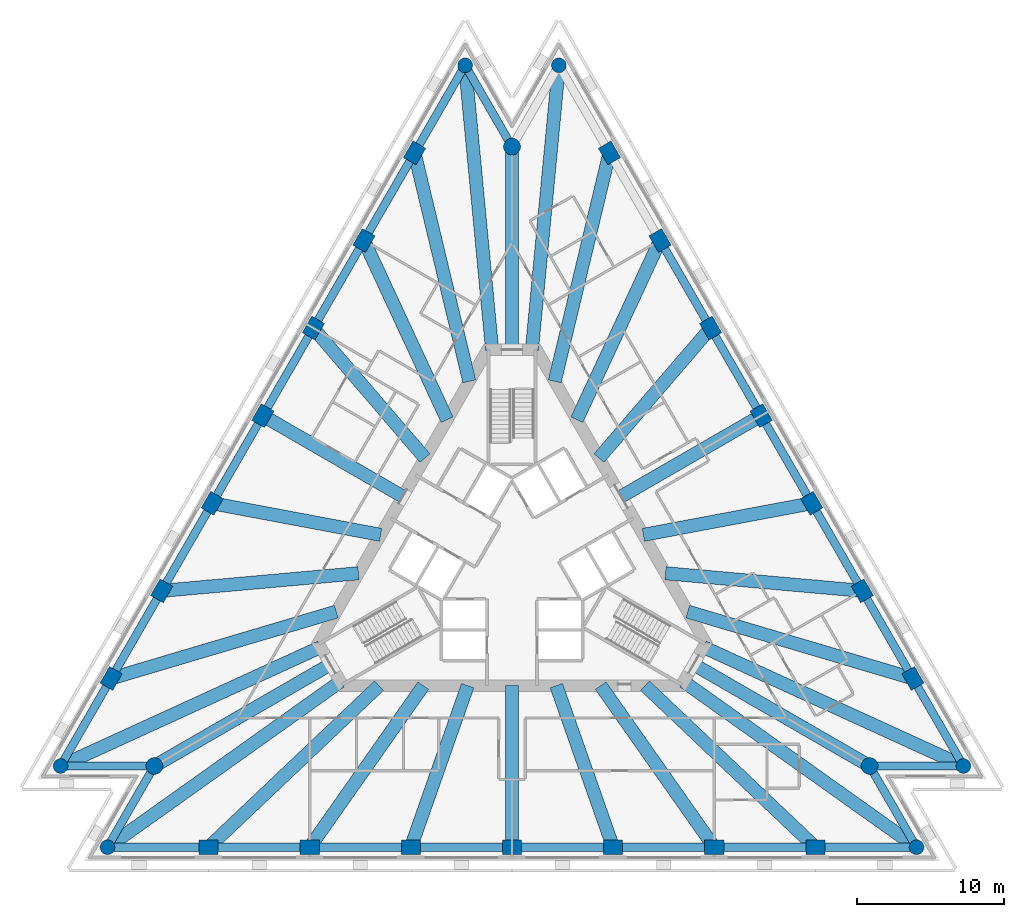
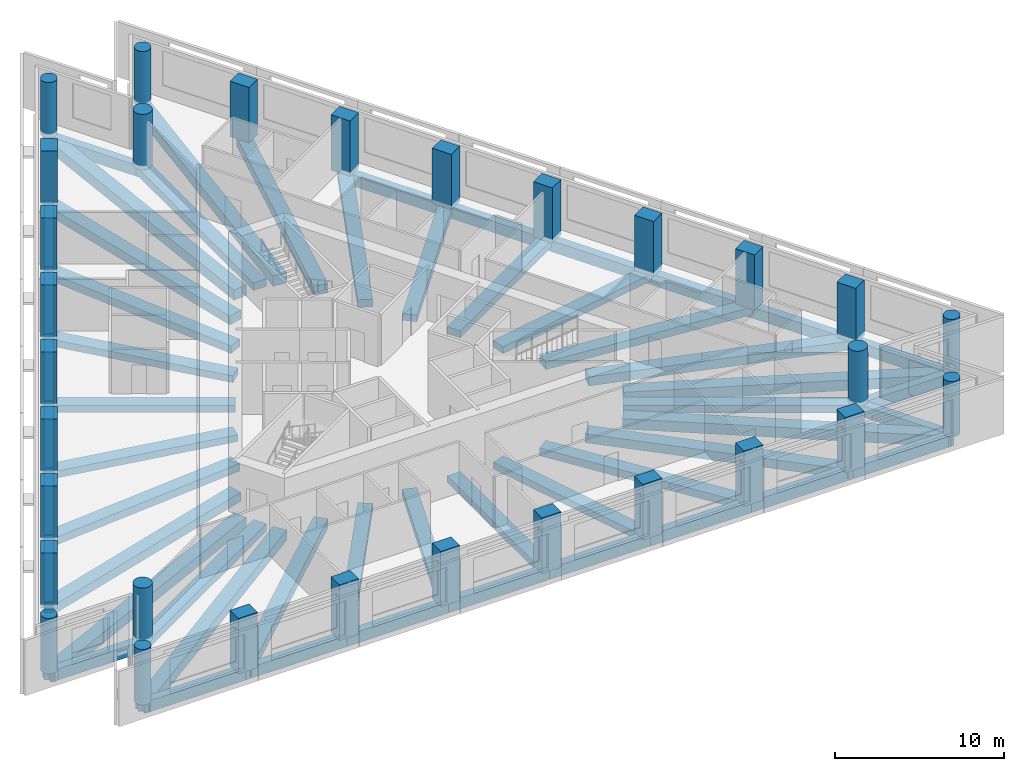
# One storey, part 1 of 10: 57 beams, 30 columns.
"""IFC4 building model written with IfcOpenShell, lengths in metres."""

from ifc_helpers import new_model, si_unit, direction, frame, origin, origin_2d, place, context, subcontext, project, spatial, rectangle, circle, extrude, material, material_profile, profile_set, type_object, element, save


model = new_model("IFC4")

# Units and contexts
model_context = context("Model", 3, precision=1e-05, world=origin(), true_north=direction((0.0, 1.0)))
body_context = subcontext(model_context, "Body", "Model", "MODEL_VIEW")
ifc_project = project(units=[si_unit("LENGTHUNIT", "METRE"), si_unit("AREAUNIT", "SQUARE_METRE"), si_unit("VOLUMEUNIT", "CUBIC_METRE"), si_unit("PLANEANGLEUNIT", "RADIAN"), si_unit("MASSUNIT", "GRAM", prefix="KILO")], contexts=[model_context])

# Site, building, storey
site_placement = place(None, origin())
site = spatial("IfcSite", under=ifc_project, at=site_placement, CompositionType="ELEMENT")
building_placement = place(site_placement, origin())
building = spatial("IfcBuilding", under=site, at=building_placement, Name="Triada Interchange Tower", CompositionType="ELEMENT")
storey_placement = place(building_placement, frame((0.0, 0.0, 124.300048828125)))
storey = spatial("IfcBuildingStorey", under=building, at=storey_placement, Name="L28", CompositionType="ELEMENT", Elevation=124.300048828125)

# Columns
ifc_material_1 = material(Name="Concrete C60/75", Category="concrete")
ifc_material_profile_1 = material_profile(ifc_material_1, rectangle(XDim=1.300048828125, YDim=1.0, at=origin_2d()), Name="RC 1300x1000")
ifc_profile_set_1 = profile_set([ifc_material_profile_1], Name="Concrete C60/75")
column_type_1 = type_object("IfcColumnType", Name="Column B face RC 1300x1000", PredefinedType="COLUMN", material=ifc_profile_set_1)
for number, where, z_axis, x_axis, name in (
    (1, (-6.64794921875, 27.73291015625, -0.300048828125), (0.0, 0.0, 1.0), (0.5, 0.866025403784, 0.0), "Column CB02 L28"),
    (2, (-10.096923828125, 21.760009765625, -0.300048828125), (0.0, 0.0, 1.0), (0.5, 0.866025403784, 0.0), "Column CB03 L28"),
    (3, (-13.5458984375, 15.785888671875, -0.300048828125), (0.0, 0.0, 1.0), (0.5, 0.866025403784, 0.0), "Column CB04 L28"),
    (4, (-16.9951171875, 9.81201171875, -0.300048828125), (0.0, 0.0, 1.0), (0.5, 0.866025403784, 0.0), "Column CB05 L28"),
    (5, (-20.443115234375, 3.837890625, -0.300048828125), (0.0, 0.0, 1.0), (0.5, 0.866025403784, 0.0), "Column CB06 L28"),
    (6, (-23.89208984375, -2.135986328125, -0.300048828125), (0.0, 0.0, 1.0), (0.5, 0.866025403784, 0.0), "Column CB07 L28"),
    (7, (-27.341064453125, -8.10888671875, -0.300048828125), (0.0, 0.0, 1.0), (0.5, 0.866025403784, 0.0), "Column CB08 L28"),
    (8, (-20.693115234375, -19.6240234375, -0.300048828125), (0.0, 0.0, 1.0), (1.0, 0.0, 0.0), "Column CB11 L28"),
    (9, (-13.7958984375, -19.6240234375, -0.300048828125), (0.0, 0.0, 1.0), (1.0, 0.0, 0.0), "Column CB12 L28"),
    (10, (-6.89794921875, -19.6240234375, -0.300048828125), (0.0, 0.0, 1.0), (1.0, 0.0, 0.0), "Column CB13 L28"),
    (11, (0.0, -19.6240234375, -0.300048828125), (0.0, 0.0, 1.0), (1.0, 0.0, 0.0), "Column CB14 L28"),
    (12, (6.89794921875, -19.6240234375, -0.300048828125), (0.0, 0.0, 1.0), (1.0, 0.0, 0.0), "Column CB15 L28"),
    (13, (13.794921875, -19.6240234375, -0.300048828125), (0.0, 0.0, 1.0), (1.0, 0.0, 0.0), "Column CB16 L28"),
    (14, (20.693115234375, -19.6240234375, -0.300048828125), (0.0, 0.0, 1.0), (1.0, 0.0, 0.0), "Column CB17 L28"),
    (15, (27.341064453125, -8.10888671875, -0.300048828125), (0.0, 0.0, 1.0), (-0.5, 0.866025403784, 0.0), "Column CB20 L28"),
    (16, (23.89208984375, -2.135986328125, -0.300048828125), (0.0, 0.0, 1.0), (-0.5, 0.866025403784, 0.0), "Column CB21 L28"),
    (17, (20.443115234375, 3.837890625, -0.300048828125), (0.0, 0.0, 1.0), (-0.5, 0.866025403784, 0.0), "Column CB22 L28"),
    (18, (16.993896484375, 9.81201171875, -0.300048828125), (0.0, 0.0, 1.0), (-0.5, 0.866025403784, 0.0), "Column CB23 L28"),
    (19, (13.5458984375, 15.785888671875, -0.300048828125), (0.0, 0.0, 1.0), (-0.5, 0.866025403784, 0.0), "Column CB24 L28"),
    (20, (10.096923828125, 21.760009765625, -0.300048828125), (0.0, 0.0, 1.0), (-0.5, 0.866025403784, 0.0), "Column CB25 L28"),
    (21, (6.64794921875, 27.73291015625, -0.300048828125), (0.0, 0.0, 1.0), (-0.5, 0.866025403784, 0.0), "Column CB26 L28"),
):
    element("IfcColumn", number, at=place(storey_placement, frame(where, z_axis=z_axis, x_axis=x_axis)), inside=storey, type_object=column_type_1, Name=name, PredefinedType="COLUMN", context=body_context, shape_type="SweptSolid", body=[
        extrude(rectangle(XDim=1.300048828125, YDim=1.0, at=origin_2d()), origin(), (0.0, 0.0, 1.0), 4.0),
    ])
ifc_material_profile_2 = material_profile(ifc_material_1, circle(Radius=0.5, at=origin_2d()), Name="RC D1000")
ifc_profile_set_2 = profile_set([ifc_material_profile_2], Name="Concrete C60/75")
column_type_2 = type_object("IfcColumnType", Name="End column B RC D1000", PredefinedType="COLUMN", material=ifc_profile_set_2)
for number, where, z_axis, x_axis, name in (
    (22, (-3.198974609375, 33.70703125, -0.300048828125), (0.0, 0.0, 1.0), (0.5, 0.866025403784, 0.0), "Column CB01 L28"),
    (23, (-30.7900390625, -14.0830078125, -0.300048828125), (0.0, 0.0, 1.0), (0.5, 0.866025403784, 0.0), "Column CB09 L28"),
    (24, (-27.591064453125, -19.6240234375, -0.300048828125), (0.0, 0.0, 1.0), (1.0, 0.0, 0.0), "Column CB10 L28"),
    (25, (27.591064453125, -19.6240234375, -0.300048828125), (0.0, 0.0, 1.0), (1.0, 0.0, 0.0), "Column CB18 L28"),
    (26, (30.7900390625, -14.0830078125, -0.300048828125), (0.0, 0.0, 1.0), (-0.5, 0.866025403784, 0.0), "Column CB19 L28"),
    (27, (3.198974609375, 33.70703125, -0.300048828125), (0.0, 0.0, 1.0), (-0.5, 0.866025403784, 0.0), "Column CB27 L28"),
):
    element("IfcColumn", number, at=place(storey_placement, frame(where, z_axis=z_axis, x_axis=x_axis)), inside=storey, type_object=column_type_2, Name=name, PredefinedType="COLUMN", context=body_context, shape_type="SweptSolid", body=[
        extrude(circle(Radius=0.5, at=origin_2d()), origin(), (0.0, 0.0, 1.0), 4.0),
    ])
ifc_material_profile_3 = material_profile(ifc_material_1, circle(Radius=0.574951171875, at=origin_2d()), Name="RC D1150")
ifc_profile_set_3 = profile_set([ifc_material_profile_3], Name="Concrete C60/75")
column_type_3 = type_object("IfcColumnType", Name="Mega column B RC D1150", PredefinedType="COLUMN", material=ifc_profile_set_3)
for number, where, z_axis, x_axis, name in (
    (28, (0.0, 28.1650390625, -0.300048828125), (0.0, 0.0, 1.0), (1.0, 0.0, 0.0), "Column MB1 L28"),
    (29, (-24.39111328125, -14.0830078125, -0.300048828125), (0.0, 0.0, 1.0), (1.0, 0.0, 0.0), "Column MB2 L28"),
    (30, (24.39111328125, -14.0830078125, -0.300048828125), (0.0, 0.0, 1.0), (1.0, 0.0, 0.0), "Column MB3 L28"),
):
    element("IfcColumn", number, at=place(storey_placement, frame(where, z_axis=z_axis, x_axis=x_axis)), inside=storey, type_object=column_type_3, Name=name, PredefinedType="COLUMN", context=body_context, shape_type="SweptSolid", body=[
        extrude(circle(Radius=0.574951171875, at=origin_2d()), origin(), (0.0, 0.0, 1.0), 4.0),
    ])

# Beams
ifc_material_2 = material(Name="Concrete C50/60", Category="concrete")
ifc_material_profile_4 = material_profile(ifc_material_2, rectangle(XDim=0.89990234375, YDim=0.5, at=origin_2d()), Name="RC 900x500")
ifc_profile_set_4 = profile_set([ifc_material_profile_4], Name="Concrete C50/60")
beam_type_1 = type_object("IfcBeamType", Name="Radial band beam B RC 900x500", PredefinedType="BEAM", material=ifc_profile_set_4)
beam_1_placement = place(storey_placement, frame((-13.5458984375, 15.785888671875, -0.550048828125), z_axis=(0.65122485191, -0.758884834646, 0.0), x_axis=(0.758884834646, 0.65122485191, 0.0)))
element("IfcBeam", 31, at=beam_1_placement, inside=storey, type_object=beam_type_1, Name="Radial band beam BB04 L28", PredefinedType="BEAM", context=body_context, shape_type="SweptSolid", body=[
    extrude(rectangle(XDim=0.89990234375, YDim=0.5, at=origin_2d()), origin(), (0.0, 0.0, 1.0), 11.685546875),
])
beam_2_placement = place(storey_placement, frame((-16.9951171875, 9.81201171875, -0.550048828125), z_axis=(0.866028110691, -0.499995311471, 0.0), x_axis=(0.499995311471, 0.866028110691, 0.0)))
element("IfcBeam", 32, at=beam_2_placement, inside=storey, type_object=beam_type_1, Name="Radial band beam BB05 L28", PredefinedType="BEAM", context=body_context, shape_type="SweptSolid", body=[
    extrude(rectangle(XDim=0.89990234375, YDim=0.5, at=origin_2d()), origin(), (0.0, 0.0, 1.0), 11.02392578125),
])
beam_3_placement = place(storey_placement, frame((-20.443115234375, 3.837890625, -0.550048828125), z_axis=(0.982829821209, -0.184514342377, 0.0), x_axis=(0.184514342377, 0.982829821209, 0.0)))
element("IfcBeam", 33, at=beam_3_placement, inside=storey, type_object=beam_type_1, Name="Radial band beam BB06 L28", PredefinedType="BEAM", context=body_context, shape_type="SweptSolid", body=[
    extrude(rectangle(XDim=0.89990234375, YDim=0.5, at=origin_2d()), origin(), (0.0, 0.0, 1.0), 11.684814453125),
])
beam_4_placement = place(storey_placement, frame((-6.89794921875, -19.6240234375, -0.550048828125), z_axis=(0.331617681755, 0.943413861011, 0.0), x_axis=(-0.943413861011, 0.331617681755, 0.0)))
element("IfcBeam", 34, at=beam_4_placement, inside=storey, type_object=beam_type_1, Name="Radial band beam BB14 L28", PredefinedType="BEAM", context=body_context, shape_type="SweptSolid", body=[
    extrude(rectangle(XDim=0.89990234375, YDim=0.5, at=origin_2d()), origin(), (0.0, 0.0, 1.0), 11.68505859375),
])
beam_5_placement = place(storey_placement, frame((0.0, -19.6240234375, -0.550048828125), z_axis=(0.0, 1.0, 0.0), x_axis=(-1.0, 0.0, 0.0)))
element("IfcBeam", 35, at=beam_5_placement, inside=storey, type_object=beam_type_1, Name="Radial band beam BB15 L28", PredefinedType="BEAM", context=body_context, shape_type="SweptSolid", body=[
    extrude(rectangle(XDim=0.89990234375, YDim=0.5, at=origin_2d()), origin(), (0.0, 0.0, 1.0), 11.02392578125),
])
beam_6_placement = place(storey_placement, frame((6.89794921875, -19.6240234375, -0.550048828125), z_axis=(-0.331617681755, 0.943413861011, 0.0), x_axis=(-0.943413861011, -0.331617681755, 0.0)))
element("IfcBeam", 36, at=beam_6_placement, inside=storey, type_object=beam_type_1, Name="Radial band beam BB16 L28", PredefinedType="BEAM", context=body_context, shape_type="SweptSolid", body=[
    extrude(rectangle(XDim=0.89990234375, YDim=0.5, at=origin_2d()), origin(), (0.0, 0.0, 1.0), 11.68505859375),
])
beam_7_placement = place(storey_placement, frame((20.443115234375, 3.837890625, -0.550048828125), z_axis=(-0.982829821209, -0.184514342377, 0.0), x_axis=(0.184514342377, -0.982829821209, 0.0)))
element("IfcBeam", 37, at=beam_7_placement, inside=storey, type_object=beam_type_1, Name="Radial band beam BB24 L28", PredefinedType="BEAM", context=body_context, shape_type="SweptSolid", body=[
    extrude(rectangle(XDim=0.89990234375, YDim=0.5, at=origin_2d()), origin(), (0.0, 0.0, 1.0), 11.684814453125),
])
beam_8_placement = place(storey_placement, frame((16.993896484375, 9.81201171875, -0.550048828125), z_axis=(-0.866022574079, -0.500004901161, 0.0), x_axis=(0.500004901161, -0.866022574079, 0.0)))
element("IfcBeam", 38, at=beam_8_placement, inside=storey, type_object=beam_type_1, Name="Radial band beam BB25 L28", PredefinedType="BEAM", context=body_context, shape_type="SweptSolid", body=[
    extrude(rectangle(XDim=0.89990234375, YDim=0.5, at=origin_2d()), origin(), (0.0, 0.0, 1.0), 11.02392578125),
])
beam_9_placement = place(storey_placement, frame((13.5458984375, 15.785888671875, -0.550048828125), z_axis=(-0.65122485191, -0.758884834646, 0.0), x_axis=(0.758884834646, -0.65122485191, 0.0)))
element("IfcBeam", 39, at=beam_9_placement, inside=storey, type_object=beam_type_1, Name="Radial band beam BB26 L28", PredefinedType="BEAM", context=body_context, shape_type="SweptSolid", body=[
    extrude(rectangle(XDim=0.89990234375, YDim=0.5, at=origin_2d()), origin(), (0.0, 0.0, 1.0), 11.685546875),
])
ifc_material_profile_5 = material_profile(ifc_material_2, rectangle(XDim=0.89990234375, YDim=0.550048828125, at=origin_2d()), Name="RC 900x550")
ifc_profile_set_5 = profile_set([ifc_material_profile_5], Name="Concrete C50/60")
beam_type_2 = type_object("IfcBeamType", Name="Radial band beam B RC 900x550", PredefinedType="BEAM", material=ifc_profile_set_5)
beam_10_placement = place(storey_placement, frame((-10.096923828125, 21.760009765625, -0.574951171875), z_axis=(0.420890926073, -0.90711125467, 0.0), x_axis=(0.90711125467, 0.420890926073, 0.0)))
element("IfcBeam", 40, at=beam_10_placement, inside=storey, type_object=beam_type_2, Name="Radial band beam BB03 L28", PredefinedType="BEAM", context=body_context, shape_type="SweptSolid", body=[
    extrude(rectangle(XDim=0.89990234375, YDim=0.550048828125, at=origin_2d()), origin(), (0.0, 0.0, 1.0), 13.475830078125),
])
beam_11_placement = place(storey_placement, frame((-23.89208984375, -2.135986328125, -0.574951171875), z_axis=(0.996026950765, 0.089052306823, 0.0), x_axis=(-0.089052306823, 0.996026950765, 0.0)))
element("IfcBeam", 41, at=beam_11_placement, inside=storey, type_object=beam_type_2, Name="Radial band beam BB07 L28", PredefinedType="BEAM", context=body_context, shape_type="SweptSolid", body=[
    extrude(rectangle(XDim=0.89990234375, YDim=0.550048828125, at=origin_2d()), origin(), (0.0, 0.0, 1.0), 13.474609375),
])
beam_12_placement = place(storey_placement, frame((-24.39111328125, -14.0830078125, -0.574951171875), z_axis=(0.865999963625, 0.500044061061, 0.0), x_axis=(-0.500044061061, 0.865999963625, 0.0)))
element("IfcBeam", 42, at=beam_12_placement, inside=storey, type_object=beam_type_2, Name="Radial band beam BB10 L28", PredefinedType="BEAM", context=body_context, shape_type="SweptSolid", body=[
    extrude(rectangle(XDim=0.89990234375, YDim=0.550048828125, at=origin_2d()), origin(), (0.0, 0.0, 1.0), 13.864990234375),
])
beam_13_placement = place(storey_placement, frame((-13.7958984375, -19.6240234375, -0.574951171875), z_axis=(0.575117268958, 0.818070979162, 0.0), x_axis=(-0.818070979162, 0.575117268958, 0.0)))
element("IfcBeam", 43, at=beam_13_placement, inside=storey, type_object=beam_type_2, Name="Radial band beam BB13 L28", PredefinedType="BEAM", context=body_context, shape_type="SweptSolid", body=[
    extrude(rectangle(XDim=0.89990234375, YDim=0.550048828125, at=origin_2d()), origin(), (0.0, 0.0, 1.0), 13.4755859375),
])
beam_14_placement = place(storey_placement, frame((13.794921875, -19.6240234375, -0.574951171875), z_axis=(-0.575068766486, 0.818105075044, 0.0), x_axis=(-0.818105075044, -0.575068766486, 0.0)))
element("IfcBeam", 44, at=beam_14_placement, inside=storey, type_object=beam_type_2, Name="Radial band beam BB17 L28", PredefinedType="BEAM", context=body_context, shape_type="SweptSolid", body=[
    extrude(rectangle(XDim=0.89990234375, YDim=0.550048828125, at=origin_2d()), origin(), (0.0, 0.0, 1.0), 13.474853515625),
])
beam_15_placement = place(storey_placement, frame((24.39111328125, -14.0830078125, -0.574951171875), z_axis=(-0.865999963625, 0.500044061061, 0.0), x_axis=(-0.500044061061, -0.865999963625, 0.0)))
element("IfcBeam", 45, at=beam_15_placement, inside=storey, type_object=beam_type_2, Name="Radial band beam BB20 L28", PredefinedType="BEAM", context=body_context, shape_type="SweptSolid", body=[
    extrude(rectangle(XDim=0.89990234375, YDim=0.550048828125, at=origin_2d()), origin(), (0.0, 0.0, 1.0), 13.864990234375),
])
beam_16_placement = place(storey_placement, frame((23.89208984375, -2.135986328125, -0.574951171875), z_axis=(-0.996026950765, 0.089052306823, 0.0), x_axis=(-0.089052306823, -0.996026950765, 0.0)))
element("IfcBeam", 46, at=beam_16_placement, inside=storey, type_object=beam_type_2, Name="Radial band beam BB23 L28", PredefinedType="BEAM", context=body_context, shape_type="SweptSolid", body=[
    extrude(rectangle(XDim=0.89990234375, YDim=0.550048828125, at=origin_2d()), origin(), (0.0, 0.0, 1.0), 13.474609375),
])
beam_17_placement = place(storey_placement, frame((10.096923828125, 21.760009765625, -0.574951171875), z_axis=(-0.420890926073, -0.90711125467, 0.0), x_axis=(0.90711125467, -0.420890926073, 0.0)))
element("IfcBeam", 47, at=beam_17_placement, inside=storey, type_object=beam_type_2, Name="Radial band beam BB27 L28", PredefinedType="BEAM", context=body_context, shape_type="SweptSolid", body=[
    extrude(rectangle(XDim=0.89990234375, YDim=0.550048828125, at=origin_2d()), origin(), (0.0, 0.0, 1.0), 13.475830078125),
])
beam_18_placement = place(storey_placement, frame((0.0, 28.1650390625, -0.574951171875), z_axis=(0.0, -1.0, 0.0), x_axis=(1.0, 0.0, 0.0)))
element("IfcBeam", 48, at=beam_18_placement, inside=storey, type_object=beam_type_2, Name="Radial band beam BB30 L28", PredefinedType="BEAM", context=body_context, shape_type="SweptSolid", body=[
    extrude(rectangle(XDim=0.89990234375, YDim=0.550048828125, at=origin_2d()), origin(), (0.0, 0.0, 1.0), 13.864990234375),
])
ifc_material_profile_6 = material_profile(ifc_material_2, rectangle(XDim=0.89990234375, YDim=0.64990234375, at=origin_2d()), Name="RC 900x650")
ifc_profile_set_6 = profile_set([ifc_material_profile_6], Name="Concrete C50/60")
beam_type_3 = type_object("IfcBeamType", Name="Radial band beam B RC 900x650", PredefinedType="BEAM", material=ifc_profile_set_6)
beam_19_placement = place(storey_placement, frame((-6.64794921875, 27.73291015625, -0.625), z_axis=(0.233119352919, -0.972448130902, 0.0), x_axis=(0.972448130902, 0.233119352919, 0.0)))
element("IfcBeam", 49, at=beam_19_placement, inside=storey, type_object=beam_type_3, Name="Radial band beam BB02 L28", PredefinedType="BEAM", context=body_context, shape_type="SweptSolid", body=[
    extrude(rectangle(XDim=0.89990234375, YDim=0.64990234375, at=origin_2d()), origin(), (0.0, 0.0, 1.0), 16.021240234375),
])
beam_20_placement = place(storey_placement, frame((-27.341064453125, -8.10888671875, -0.625), z_axis=(0.958728747557, 0.284322332234, 0.0), x_axis=(-0.284322332234, 0.958728747557, 0.0)))
element("IfcBeam", 50, at=beam_20_placement, inside=storey, type_object=beam_type_3, Name="Radial band beam BB08 L28", PredefinedType="BEAM", context=body_context, shape_type="SweptSolid", body=[
    extrude(rectangle(XDim=0.89990234375, YDim=0.64990234375, at=origin_2d()), origin(), (0.0, 0.0, 1.0), 16.020263671875),
])
for number, where, z_axis, x_axis, name in (
    (51, (-20.693115234375, -19.6240234375, -0.625), (0.725617029515, 0.688098776687, 0.0), (-0.688098776687, 0.725617029515, 0.0), "Radial band beam BB12 L28"),
    (52, (20.693115234375, -19.6240234375, -0.625), (-0.725617029515, 0.688098776687, 0.0), (-0.688098776687, -0.725617029515, 0.0), "Radial band beam BB18 L28"),
):
    element("IfcBeam", number, at=place(storey_placement, frame(where, z_axis=z_axis, x_axis=x_axis)), inside=storey, type_object=beam_type_3, Name=name, PredefinedType="BEAM", context=body_context, shape_type="SweptSolid", body=[
        extrude(rectangle(XDim=0.89990234375, YDim=0.64990234375, at=origin_2d()), origin(), (0.0, 0.0, 1.0), 16.020751953125),
    ])
beam_21_placement = place(storey_placement, frame((27.341064453125, -8.10888671875, -0.625), z_axis=(-0.958728747557, 0.284322332234, 0.0), x_axis=(-0.284322332234, -0.958728747557, 0.0)))
element("IfcBeam", 53, at=beam_21_placement, inside=storey, type_object=beam_type_3, Name="Radial band beam BB22 L28", PredefinedType="BEAM", context=body_context, shape_type="SweptSolid", body=[
    extrude(rectangle(XDim=0.89990234375, YDim=0.64990234375, at=origin_2d()), origin(), (0.0, 0.0, 1.0), 16.020263671875),
])
beam_22_placement = place(storey_placement, frame((6.64794921875, 27.73291015625, -0.625), z_axis=(-0.233119352919, -0.972448130902, 0.0), x_axis=(0.972448130902, -0.233119352919, 0.0)))
element("IfcBeam", 54, at=beam_22_placement, inside=storey, type_object=beam_type_3, Name="Radial band beam BB28 L28", PredefinedType="BEAM", context=body_context, shape_type="SweptSolid", body=[
    extrude(rectangle(XDim=0.89990234375, YDim=0.64990234375, at=origin_2d()), origin(), (0.0, 0.0, 1.0), 16.021240234375),
])
ifc_material_profile_7 = material_profile(ifc_material_2, rectangle(XDim=0.89990234375, YDim=0.75, at=origin_2d()), Name="RC 900x750")
ifc_profile_set_7 = profile_set([ifc_material_profile_7], Name="Concrete C50/60")
beam_type_4 = type_object("IfcBeamType", Name="Radial band beam B RC 900x750", PredefinedType="BEAM", material=ifc_profile_set_7)
for number, where, z_axis, x_axis, name in (
    (55, (-3.198974609375, 33.70703125, -0.675048828125), (0.094491716209, -0.99552564787, 0.0), (0.99552564787, 0.094491716209, 0.0), "Radial band beam BB01 L28"),
    (56, (-30.7900390625, -14.0830078125, -0.675048828125), (0.909403293922, 0.415915434918, 0.0), (-0.415915434918, 0.909403293922, 0.0), "Radial band beam BB09 L28"),
):
    element("IfcBeam", number, at=place(storey_placement, frame(where, z_axis=z_axis, x_axis=x_axis)), inside=storey, type_object=beam_type_4, Name=name, PredefinedType="BEAM", context=body_context, shape_type="SweptSolid", body=[
        extrude(rectangle(XDim=0.89990234375, YDim=0.75, at=origin_2d()), origin(), (0.0, 0.0, 1.0), 19.494140625),
    ])
for number, where, z_axis, x_axis, name in (
    (57, (-27.591064453125, -19.6240234375, -0.675048828125), (0.814897882072, 0.579604556396, 0.0), (-0.579604556396, 0.814897882072, 0.0), "Radial band beam BB11 L28"),
    (58, (27.591064453125, -19.6240234375, -0.675048828125), (-0.814897882072, 0.579604556396, 0.0), (-0.579604556396, -0.814897882072, 0.0), "Radial band beam BB19 L28"),
):
    element("IfcBeam", number, at=place(storey_placement, frame(where, z_axis=z_axis, x_axis=x_axis)), inside=storey, type_object=beam_type_4, Name=name, PredefinedType="BEAM", context=body_context, shape_type="SweptSolid", body=[
        extrude(rectangle(XDim=0.89990234375, YDim=0.75, at=origin_2d()), origin(), (0.0, 0.0, 1.0), 19.494384765625),
    ])
for number, where, z_axis, x_axis, name in (
    (59, (30.7900390625, -14.0830078125, -0.675048828125), (-0.909403293922, 0.415915434918, 0.0), (-0.415915434918, -0.909403293922, 0.0), "Radial band beam BB21 L28"),
    (60, (3.198974609375, 33.70703125, -0.675048828125), (-0.094491716209, -0.99552564787, 0.0), (0.99552564787, -0.094491716209, 0.0), "Radial band beam BB29 L28"),
):
    element("IfcBeam", number, at=place(storey_placement, frame(where, z_axis=z_axis, x_axis=x_axis)), inside=storey, type_object=beam_type_4, Name=name, PredefinedType="BEAM", context=body_context, shape_type="SweptSolid", body=[
        extrude(rectangle(XDim=0.89990234375, YDim=0.75, at=origin_2d()), origin(), (0.0, 0.0, 1.0), 19.494140625),
    ])
ifc_material_profile_8 = material_profile(ifc_material_2, rectangle(XDim=0.550048828125, YDim=0.800048828125, at=origin_2d()), Name="RC 550x800")
ifc_profile_set_8 = profile_set([ifc_material_profile_8], Name="Concrete C50/60")
beam_type_5 = type_object("IfcBeamType", Name="Spandrel beam B RC 550x800", PredefinedType="BEAM", material=ifc_profile_set_8)
beam_23_placement = place(storey_placement, frame((-3.198974609375, 33.70703125, -0.699951171875), z_axis=(-0.499979797689, -0.86603706728, 0.0), x_axis=(0.86603706728, -0.499979797689, 0.0)))
element("IfcBeam", 61, at=beam_23_placement, inside=storey, type_object=beam_type_5, Name="Spandrel beam EB01 L28", PredefinedType="BEAM", context=body_context, shape_type="SweptSolid", body=[
    extrude(rectangle(XDim=0.550048828125, YDim=0.800048828125, at=origin_2d()), origin(), (0.0, 0.0, 1.0), 6.898193359375),
])
beam_24_placement = place(storey_placement, frame((-6.64794921875, 27.73291015625, -0.699951171875), z_axis=(-0.500056430882, -0.865992820948, 0.0), x_axis=(0.865992820948, -0.500056430882, 0.0)))
element("IfcBeam", 62, at=beam_24_placement, inside=storey, type_object=beam_type_5, Name="Spandrel beam EB02 L28", PredefinedType="BEAM", context=body_context, shape_type="SweptSolid", body=[
    extrude(rectangle(XDim=0.550048828125, YDim=0.800048828125, at=origin_2d()), origin(), (0.0, 0.0, 1.0), 6.897216796875),
])
for number, where, z_axis, x_axis, name in (
    (63, (-10.096923828125, 21.760009765625, -0.699951171875), (-0.499979797689, -0.86603706728, 0.0), (0.86603706728, -0.499979797689, 0.0), "Spandrel beam EB03 L28"),
    (64, (-13.5458984375, 15.785888671875, -0.699951171875), (-0.500021666885, -0.866012894041, 0.0), (0.866012894041, -0.500021666885, 0.0), "Spandrel beam EB04 L28"),
):
    element("IfcBeam", number, at=place(storey_placement, frame(where, z_axis=z_axis, x_axis=x_axis)), inside=storey, type_object=beam_type_5, Name=name, PredefinedType="BEAM", context=body_context, shape_type="SweptSolid", body=[
        extrude(rectangle(XDim=0.550048828125, YDim=0.800048828125, at=origin_2d()), origin(), (0.0, 0.0, 1.0), 6.898193359375),
    ])
beam_25_placement = place(storey_placement, frame((-16.9951171875, 9.81201171875, -0.699951171875), z_axis=(-0.49987360819, -0.866098363833, 0.0), x_axis=(0.866098363833, -0.49987360819, 0.0)))
element("IfcBeam", 65, at=beam_25_placement, inside=storey, type_object=beam_type_5, Name="Spandrel beam EB05 L28", PredefinedType="BEAM", context=body_context, shape_type="SweptSolid", body=[
    extrude(rectangle(XDim=0.550048828125, YDim=0.800048828125, at=origin_2d()), origin(), (0.0, 0.0, 1.0), 6.897705078125),
])
beam_26_placement = place(storey_placement, frame((-20.443115234375, 3.837890625, -0.699951171875), z_axis=(-0.499995122762, -0.866028219641, 0.0), x_axis=(0.866028219641, -0.499995122762, 0.0)))
element("IfcBeam", 66, at=beam_26_placement, inside=storey, type_object=beam_type_5, Name="Spandrel beam EB06 L28", PredefinedType="BEAM", context=body_context, shape_type="SweptSolid", body=[
    extrude(rectangle(XDim=0.550048828125, YDim=0.800048828125, at=origin_2d()), origin(), (0.0, 0.0, 1.0), 6.89794921875),
])
beam_27_placement = place(storey_placement, frame((-23.89208984375, -2.135986328125, -0.699951171875), z_axis=(-0.500056430882, -0.865992820948, 0.0), x_axis=(0.865992820948, -0.500056430882, 0.0)))
element("IfcBeam", 67, at=beam_27_placement, inside=storey, type_object=beam_type_5, Name="Spandrel beam EB07 L28", PredefinedType="BEAM", context=body_context, shape_type="SweptSolid", body=[
    extrude(rectangle(XDim=0.550048828125, YDim=0.800048828125, at=origin_2d()), origin(), (0.0, 0.0, 1.0), 6.897216796875),
])
beam_28_placement = place(storey_placement, frame((-27.341064453125, -8.10888671875, -0.699951171875), z_axis=(-0.499979797689, -0.86603706728, 0.0), x_axis=(0.86603706728, -0.499979797689, 0.0)))
element("IfcBeam", 68, at=beam_28_placement, inside=storey, type_object=beam_type_5, Name="Spandrel beam EB08 L28", PredefinedType="BEAM", context=body_context, shape_type="SweptSolid", body=[
    extrude(rectangle(XDim=0.550048828125, YDim=0.800048828125, at=origin_2d()), origin(), (0.0, 0.0, 1.0), 6.898193359375),
])
beam_29_placement = place(storey_placement, frame((-30.7900390625, -14.0830078125, -0.699951171875), z_axis=(1.0, 0.0, 0.0), x_axis=(0.0, 1.0, 0.0)))
element("IfcBeam", 69, at=beam_29_placement, inside=storey, type_object=beam_type_5, Name="Spandrel beam EB09 L28", PredefinedType="BEAM", context=body_context, shape_type="SweptSolid", body=[
    extrude(rectangle(XDim=0.550048828125, YDim=0.800048828125, at=origin_2d()), origin(), (0.0, 0.0, 1.0), 6.39892578125),
])
beam_30_placement = place(storey_placement, frame((-24.39111328125, -14.0830078125, -0.699951171875), z_axis=(-0.500098960312, -0.865968261482, 0.0), x_axis=(0.865968261482, -0.500098960312, 0.0)))
element("IfcBeam", 70, at=beam_30_placement, inside=storey, type_object=beam_type_5, Name="Spandrel beam EB10 L28", PredefinedType="BEAM", context=body_context, shape_type="SweptSolid", body=[
    extrude(rectangle(XDim=0.550048828125, YDim=0.800048828125, at=origin_2d()), origin(), (0.0, 0.0, 1.0), 6.398681640625),
])
beam_31_placement = place(storey_placement, frame((-27.591064453125, -19.6240234375, -0.699951171875), z_axis=(1.0, 0.0, 0.0), x_axis=(0.0, 1.0, 0.0)))
element("IfcBeam", 71, at=beam_31_placement, inside=storey, type_object=beam_type_5, Name="Spandrel beam EB11 L28", PredefinedType="BEAM", context=body_context, shape_type="SweptSolid", body=[
    extrude(rectangle(XDim=0.550048828125, YDim=0.800048828125, at=origin_2d()), origin(), (0.0, 0.0, 1.0), 6.89794921875),
])
beam_32_placement = place(storey_placement, frame((-20.693115234375, -19.6240234375, -0.699951171875), z_axis=(1.0, 0.0, 0.0), x_axis=(0.0, 1.0, 0.0)))
element("IfcBeam", 72, at=beam_32_placement, inside=storey, type_object=beam_type_5, Name="Spandrel beam EB12 L28", PredefinedType="BEAM", context=body_context, shape_type="SweptSolid", body=[
    extrude(rectangle(XDim=0.550048828125, YDim=0.800048828125, at=origin_2d()), origin(), (0.0, 0.0, 1.0), 6.897216796875),
])
for number, where, z_axis, x_axis, name in (
    (73, (-13.7958984375, -19.6240234375, -0.699951171875), (1.0, 0.0, 0.0), (0.0, 1.0, 0.0), "Spandrel beam EB13 L28"),
    (74, (-6.89794921875, -19.6240234375, -0.699951171875), (1.0, 0.0, 0.0), (0.0, 1.0, 0.0), "Spandrel beam EB14 L28"),
    (75, (0.0, -19.6240234375, -0.699951171875), (1.0, 0.0, 0.0), (0.0, 1.0, 0.0), "Spandrel beam EB15 L28"),
):
    element("IfcBeam", number, at=place(storey_placement, frame(where, z_axis=z_axis, x_axis=x_axis)), inside=storey, type_object=beam_type_5, Name=name, PredefinedType="BEAM", context=body_context, shape_type="SweptSolid", body=[
        extrude(rectangle(XDim=0.550048828125, YDim=0.800048828125, at=origin_2d()), origin(), (0.0, 0.0, 1.0), 6.89794921875),
    ])
beam_33_placement = place(storey_placement, frame((6.89794921875, -19.6240234375, -0.699951171875), z_axis=(1.0, 0.0, 0.0), x_axis=(0.0, 1.0, 0.0)))
element("IfcBeam", 76, at=beam_33_placement, inside=storey, type_object=beam_type_5, Name="Spandrel beam EB16 L28", PredefinedType="BEAM", context=body_context, shape_type="SweptSolid", body=[
    extrude(rectangle(XDim=0.550048828125, YDim=0.800048828125, at=origin_2d()), origin(), (0.0, 0.0, 1.0), 6.89697265625),
])
beam_34_placement = place(storey_placement, frame((13.794921875, -19.6240234375, -0.699951171875), z_axis=(1.0, 0.0, 0.0), x_axis=(0.0, 1.0, 0.0)))
element("IfcBeam", 77, at=beam_34_placement, inside=storey, type_object=beam_type_5, Name="Spandrel beam EB17 L28", PredefinedType="BEAM", context=body_context, shape_type="SweptSolid", body=[
    extrude(rectangle(XDim=0.550048828125, YDim=0.800048828125, at=origin_2d()), origin(), (0.0, 0.0, 1.0), 6.898193359375),
])
beam_35_placement = place(storey_placement, frame((20.693115234375, -19.6240234375, -0.699951171875), z_axis=(1.0, 0.0, 0.0), x_axis=(0.0, 1.0, 0.0)))
element("IfcBeam", 78, at=beam_35_placement, inside=storey, type_object=beam_type_5, Name="Spandrel beam EB18 L28", PredefinedType="BEAM", context=body_context, shape_type="SweptSolid", body=[
    extrude(rectangle(XDim=0.550048828125, YDim=0.800048828125, at=origin_2d()), origin(), (0.0, 0.0, 1.0), 6.89794921875),
])
beam_36_placement = place(storey_placement, frame((27.591064453125, -19.6240234375, -0.699951171875), z_axis=(-0.500098960312, 0.865968261482, 0.0), x_axis=(-0.865968261482, -0.500098960312, 0.0)))
element("IfcBeam", 79, at=beam_36_placement, inside=storey, type_object=beam_type_5, Name="Spandrel beam EB19 L28", PredefinedType="BEAM", context=body_context, shape_type="SweptSolid", body=[
    extrude(rectangle(XDim=0.550048828125, YDim=0.800048828125, at=origin_2d()), origin(), (0.0, 0.0, 1.0), 6.398681640625),
])
beam_37_placement = place(storey_placement, frame((24.39111328125, -14.0830078125, -0.699951171875), z_axis=(1.0, 0.0, 0.0), x_axis=(0.0, 1.0, 0.0)))
element("IfcBeam", 80, at=beam_37_placement, inside=storey, type_object=beam_type_5, Name="Spandrel beam EB20 L28", PredefinedType="BEAM", context=body_context, shape_type="SweptSolid", body=[
    extrude(rectangle(XDim=0.550048828125, YDim=0.800048828125, at=origin_2d()), origin(), (0.0, 0.0, 1.0), 6.39892578125),
])
beam_38_placement = place(storey_placement, frame((30.7900390625, -14.0830078125, -0.699951171875), z_axis=(-0.499979797689, 0.86603706728, 0.0), x_axis=(-0.86603706728, -0.499979797689, 0.0)))
element("IfcBeam", 81, at=beam_38_placement, inside=storey, type_object=beam_type_5, Name="Spandrel beam EB21 L28", PredefinedType="BEAM", context=body_context, shape_type="SweptSolid", body=[
    extrude(rectangle(XDim=0.550048828125, YDim=0.800048828125, at=origin_2d()), origin(), (0.0, 0.0, 1.0), 6.898193359375),
])
beam_39_placement = place(storey_placement, frame((27.341064453125, -8.10888671875, -0.699951171875), z_axis=(-0.500056430882, 0.865992820948, 0.0), x_axis=(-0.865992820948, -0.500056430882, 0.0)))
element("IfcBeam", 82, at=beam_39_placement, inside=storey, type_object=beam_type_5, Name="Spandrel beam EB22 L28", PredefinedType="BEAM", context=body_context, shape_type="SweptSolid", body=[
    extrude(rectangle(XDim=0.550048828125, YDim=0.800048828125, at=origin_2d()), origin(), (0.0, 0.0, 1.0), 6.897216796875),
])
beam_40_placement = place(storey_placement, frame((23.89208984375, -2.135986328125, -0.699951171875), z_axis=(-0.499995122762, 0.866028219641, 0.0), x_axis=(-0.866028219641, -0.499995122762, 0.0)))
element("IfcBeam", 83, at=beam_40_placement, inside=storey, type_object=beam_type_5, Name="Spandrel beam EB23 L28", PredefinedType="BEAM", context=body_context, shape_type="SweptSolid", body=[
    extrude(rectangle(XDim=0.550048828125, YDim=0.800048828125, at=origin_2d()), origin(), (0.0, 0.0, 1.0), 6.89794921875),
])
beam_41_placement = place(storey_placement, frame((20.443115234375, 3.837890625, -0.699951171875), z_axis=(-0.500006341541, 0.866021742463, 0.0), x_axis=(-0.866021742463, -0.500006341541, 0.0)))
element("IfcBeam", 84, at=beam_41_placement, inside=storey, type_object=beam_type_5, Name="Spandrel beam EB24 L28", PredefinedType="BEAM", context=body_context, shape_type="SweptSolid", body=[
    extrude(rectangle(XDim=0.550048828125, YDim=0.800048828125, at=origin_2d()), origin(), (0.0, 0.0, 1.0), 6.8984375),
])
beam_42_placement = place(storey_placement, frame((16.993896484375, 9.81201171875, -0.699951171875), z_axis=(-0.499888932177, 0.866089519326, 0.0), x_axis=(-0.866089519326, -0.499888932177, 0.0)))
element("IfcBeam", 85, at=beam_42_placement, inside=storey, type_object=beam_type_5, Name="Spandrel beam EB25 L28", PredefinedType="BEAM", context=body_context, shape_type="SweptSolid", body=[
    extrude(rectangle(XDim=0.550048828125, YDim=0.800048828125, at=origin_2d()), origin(), (0.0, 0.0, 1.0), 6.8974609375),
])
beam_43_placement = place(storey_placement, frame((13.5458984375, 15.785888671875, -0.699951171875), z_axis=(-0.499979797689, 0.86603706728, 0.0), x_axis=(-0.86603706728, -0.499979797689, 0.0)))
element("IfcBeam", 86, at=beam_43_placement, inside=storey, type_object=beam_type_5, Name="Spandrel beam EB26 L28", PredefinedType="BEAM", context=body_context, shape_type="SweptSolid", body=[
    extrude(rectangle(XDim=0.550048828125, YDim=0.800048828125, at=origin_2d()), origin(), (0.0, 0.0, 1.0), 6.898193359375),
])
beam_44_placement = place(storey_placement, frame((0.0, 28.1650390625, -0.699951171875), z_axis=(-0.49991841402, 0.866072502348, 0.0), x_axis=(-0.866072502348, -0.49991841402, 0.0)))
element("IfcBeam", 87, at=beam_44_placement, inside=storey, type_object=beam_type_5, Name="Spandrel beam EB30 L28", PredefinedType="BEAM", context=body_context, shape_type="SweptSolid", body=[
    extrude(rectangle(XDim=0.550048828125, YDim=0.800048828125, at=origin_2d()), origin(), (0.0, 0.0, 1.0), 6.39892578125),
])

save(model, "model.ifc")
